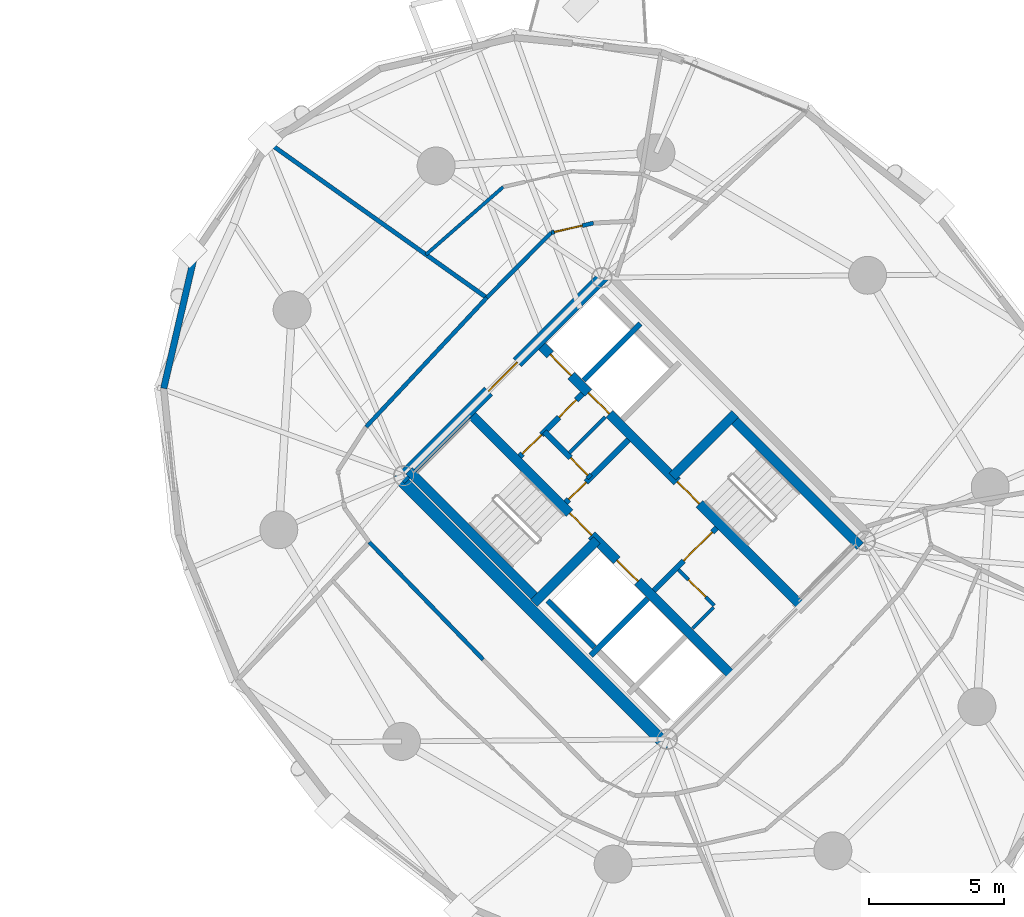
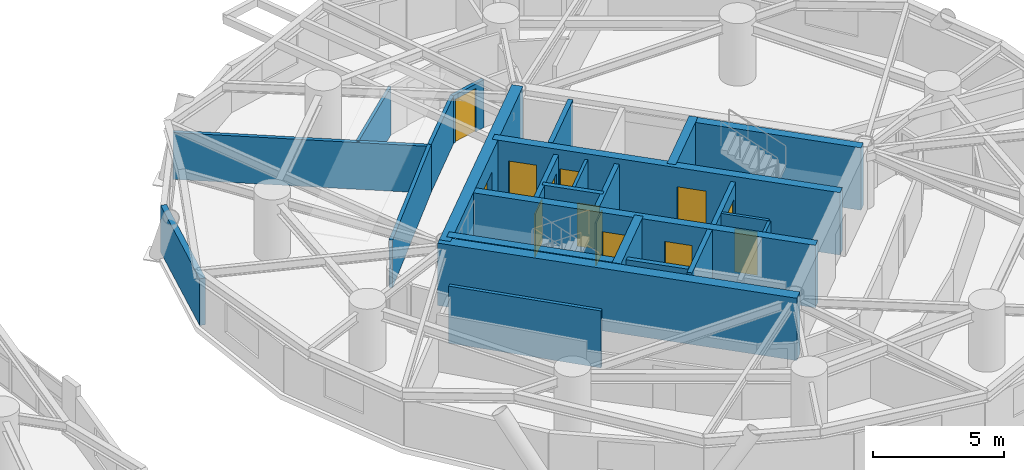
# One storey, part 13 of 18: 25 walls, 13 doors, 13 openings.
"""IFC4 building model written with IfcOpenShell, lengths in metres."""

from ifc_helpers import new_model, si_unit, direction, frame, frame_2d, origin, place, context, subcontext, project, spatial, rectangle, extrude, source, transform, mapped, material, layer, layer_set, type_object, element, fill, save


model = new_model("IFC4")

# Units and contexts
model_context = context("Model", 3, precision=1e-05, world=origin(), true_north=direction((0.0, 1.0)))
body_context = subcontext(model_context, "Body", "Model", "MODEL_VIEW")
ifc_project = project(units=[si_unit("LENGTHUNIT", "METRE"), si_unit("AREAUNIT", "SQUARE_METRE"), si_unit("VOLUMEUNIT", "CUBIC_METRE"), si_unit("PLANEANGLEUNIT", "RADIAN"), si_unit("MASSUNIT", "GRAM", prefix="KILO")], contexts=[model_context])

# Site, building, storey
site_placement = place(None, origin())
site = spatial("IfcSite", under=ifc_project, at=site_placement, CompositionType="ELEMENT")
building_placement = place(site_placement, origin())
building = spatial("IfcBuilding", under=site, at=building_placement, Name="Cununo Teusaquillo Station Towers", CompositionType="ELEMENT")
storey_placement = place(building_placement, frame((0.0, 0.0, 110.889892578125)))
storey = spatial("IfcBuildingStorey", under=building, at=storey_placement, Name="L35", CompositionType="ELEMENT", Elevation=110.889892578125)

# Walls
ifc_material_1 = material(Name="Concrete C50/60", Category="concrete")
ifc_layer_1 = layer(ifc_material_1, 0.199951171875)
ifc_layer_set_1 = layer_set([ifc_layer_1], Name="Concrete C50/60")
wall_type_1 = type_object("IfcWallType", Name="WL-CORE-200", PredefinedType="SHEAR", material=ifc_layer_set_1)
wall_1_placement = place(storey_placement, frame((55.8876953125, 19.0693359375, 0.0), z_axis=(0.0, 0.0, 1.0), x_axis=(0.707106781187, 0.707106781187, 0.0)))
element("IfcWall", 1, at=wall_1_placement, inside=storey, type_object=wall_type_1, Name="L35 Tower B Firefighting Lift Shaft South Shear Wall", PredefinedType="SHEAR", context=body_context, shape_type="SweptSolid", body=[
    extrude(rectangle(XDim=2.969970703125, YDim=0.199951171875, at=frame_2d((1.48486328125, 0.0))), origin(), (0.0, 0.0, 1.0), 2.91015625),
])
wall_2_placement = place(storey_placement, frame((56.01513671875, 19.366455078125, 0.0), z_axis=(0.0, 0.0, 1.0), x_axis=(-0.707106781187, 0.707106781187, 0.0)))
element("IfcWall", 2, at=wall_2_placement, inside=storey, type_object=wall_type_1, Name="L35 Tower B Firefighting Lift Shaft Rear Shear Wall", PredefinedType="SHEAR", context=body_context, shape_type="SweptSolid", body=[
    extrude(rectangle(XDim=2.43994140625, YDim=0.199951171875, at=frame_2d((1.219970703125, 0.0))), origin(), (0.0, 0.0, 1.0), 2.91015625),
])
wall_3_placement = place(storey_placement, frame((55.615478515625, 29.22705078125, 0.0), z_axis=(0.0, 0.0, 1.0), x_axis=(0.707147878904, 0.70706568108, 0.0)))
element("IfcWall", 3, at=wall_3_placement, inside=storey, type_object=wall_type_1, Name="L35 Tower B Low-Rise Lift Hoistway Divider Shear Wall", PredefinedType="SHEAR", context=body_context, shape_type="SweptSolid", body=[
    extrude(rectangle(XDim=2.97021484375, YDim=0.199951171875, at=frame_2d((1.485107421875, 0.0))), origin(), (0.0, 0.0, 1.0), 2.91015625),
])

# Wall, openings, doors
ifc_material_2 = material(Name="Concrete C50/60", Category="concrete")
ifc_layer_2 = layer(ifc_material_2, 0.35009765625)
ifc_layer_set_2 = layer_set([ifc_layer_2], Name="Concrete C50/60")
wall_type_2 = type_object("IfcWallType", Name="WL-CORE-350", PredefinedType="SHEAR", material=ifc_layer_set_2)
wall_4_placement = place(storey_placement, frame((61.077880859375, 18.355224609375, 0.0), z_axis=(0.0, 0.0, 1.0), x_axis=(-0.707106781187, 0.707106781187, 0.0)))
wall_4 = element("IfcWall", 4, at=wall_4_placement, inside=storey, type_object=wall_type_2, Name="L35 Tower B Core Shear Wall IW", PredefinedType="SHEAR", context=body_context, shape_type="SweptSolid", body=[
    extrude(rectangle(XDim=13.75, YDim=0.35009765625, at=frame_2d((6.875, 0.0))), origin(), (0.0, 0.0, 1.0), 2.91015625),
])
shared_shape_1 = source(origin(), body_context, "Body", "SweptSolid", [
    extrude(rectangle(XDim=1.10009765625, YDim=2.014892578125, at=frame_2d((0.550048828125, 1.00732421875))), frame((0.0, 0.18505859375, 0.0), z_axis=(0.0, -1.0, 0.0), x_axis=(1.0, 0.0, 0.0)), (0.0, 0.0, 1.0), 0.3701171875),
])
opening_1_placement = place(wall_4_placement, frame((4.875, 0.0, 0.0)))
opening_1 = element("IfcOpeningElement", 5, at=opening_1_placement, cuts=wall_4, Name="Opening LD-01", PredefinedType="OPENING", context=body_context, shape_type="MappedRepresentation", body=[
    mapped(shared_shape_1, transform((0.0, 0.0, 0.0), x_axis=(1.0, 0.0, 0.0), y_axis=(0.0, 1.0, 0.0), z_axis=(0.0, 0.0, 1.0), scale=1.0)),
])
shared_shape_2 = source(origin(), body_context, "Body", "SweptSolid", [
    extrude(rectangle(XDim=1.14990234375, YDim=2.02001953125, at=frame_2d((0.574951171875, 1.010009765625))), frame((0.0, 0.18505859375, 0.0), z_axis=(0.0, -1.0, 0.0), x_axis=(1.0, 0.0, 0.0)), (0.0, 0.0, 1.0), 0.3701171875),
])
opening_2_placement = place(wall_4_placement, frame((7.294921875, 0.0, 0.0)))
opening_2 = element("IfcOpeningElement", 6, at=opening_2_placement, cuts=wall_4, Name="Opening D-ST1", PredefinedType="OPENING", context=body_context, shape_type="MappedRepresentation", body=[
    mapped(shared_shape_2, transform((0.0, 0.0, 0.0), x_axis=(1.0, 0.0, 0.0), y_axis=(0.0, 1.0, 0.0), z_axis=(0.0, 0.0, 1.0), scale=1.0)),
])
ifc_material_3 = material(Name="Galvanised fire-rated hollow steel door assembly", Category="steel")
door_type_1 = type_object("IfcDoorType", Name="DR-LIFT-1100", OperationType="SLIDING_TO_LEFT", PredefinedType="DOOR", material=ifc_material_3)
shared_shape_3 = source(origin(), body_context, "Body", "SweptSolid", [
    extrude(rectangle(XDim=1.10009765625, YDim=2.014892578125, at=frame_2d((0.550048828125, 1.00732421875))), frame((0.0, 0.02490234375, 0.0), z_axis=(0.0, -1.0, 0.0), x_axis=(1.0, 0.0, 0.0)), (0.0, 0.0, 1.0), 0.050048828125),
])
door_1_placement = place(opening_1_placement, origin())
door_1 = element("IfcDoor", 7, at=door_1_placement, inside=storey, type_object=door_type_1, Name="L35 Lift FL-T2 Sliding Landing Door", OperationType="SLIDING_TO_LEFT", OverallHeight=2.014892578125, OverallWidth=1.10009765625, PredefinedType="DOOR", context=body_context, shape_type="MappedRepresentation", body=[
    mapped(shared_shape_3, transform((0.0, 0.0, 0.0), x_axis=(1.0, 0.0, 0.0), y_axis=(0.0, 1.0, 0.0), z_axis=(0.0, 0.0, 1.0), scale=1.0)),
])
fill(opening_1, door_1)
ifc_material_4 = material(Name="Galvanised fire-rated hollow steel door assembly", Category="steel")
door_type_2 = type_object("IfcDoorType", Name="DR-STAIR-1150", OperationType="NOTDEFINED", PredefinedType="DOOR", material=ifc_material_4)
shared_shape_4 = source(origin(), body_context, "Body", "SweptSolid", [
    extrude(rectangle(XDim=1.14990234375, YDim=2.02001953125, at=frame_2d((0.574951171875, 1.010009765625))), frame((0.0, 0.02490234375, 0.0), z_axis=(0.0, -1.0, 0.0), x_axis=(1.0, 0.0, 0.0)), (0.0, 0.0, 1.0), 0.050048828125),
])
door_2_placement = place(opening_2_placement, origin())
door_2 = element("IfcDoor", 8, at=door_2_placement, inside=storey, type_object=door_type_2, Name="L35 Tower B Exit Stair 1 Fire Door", OperationType="SINGLE_SWING_LEFT", OverallHeight=2.02001953125, OverallWidth=1.14990234375, PredefinedType="DOOR", context=body_context, shape_type="MappedRepresentation", body=[
    mapped(shared_shape_4, transform((0.0, 0.0, 0.0), x_axis=(1.0, 0.0, 0.0), y_axis=(0.0, 1.0, 0.0), z_axis=(0.0, 0.0, 1.0), scale=1.0)),
])
fill(opening_2, door_2)

wall_5_placement = place(storey_placement, frame((63.644775390625, 20.922119140625, 0.0), z_axis=(0.0, 0.0, 1.0), x_axis=(-0.707106781187, 0.707106781187, 0.0)))
wall_5 = element("IfcWall", 9, at=wall_5_placement, inside=storey, type_object=wall_type_2, Name="L35 Tower B Core Shear Wall IE", PredefinedType="SHEAR", context=body_context, shape_type="SweptSolid", body=[
    extrude(rectangle(XDim=13.75, YDim=0.35009765625, at=frame_2d((6.875, 0.0))), origin(), (0.0, 0.0, 1.0), 2.91015625),
])
opening_3_placement = place(wall_5_placement, frame((10.0, 0.0, 0.0)))
opening_3 = element("IfcOpeningElement", 10, at=opening_3_placement, cuts=wall_5, Name="Opening LD-01", PredefinedType="OPENING", context=body_context, shape_type="MappedRepresentation", body=[
    mapped(shared_shape_1, transform((0.0, 0.0, 0.0), x_axis=(1.0, 0.0, 0.0), y_axis=(0.0, 1.0, 0.0), z_axis=(0.0, 0.0, 1.0), scale=1.0)),
])
opening_4_placement = place(wall_5_placement, frame((12.0, 0.0, 0.0)))
opening_4 = element("IfcOpeningElement", 11, at=opening_4_placement, cuts=wall_5, Name="Opening LD-01", PredefinedType="OPENING", context=body_context, shape_type="MappedRepresentation", body=[
    mapped(shared_shape_1, transform((0.0, 0.0, 0.0), x_axis=(1.0, 0.0, 0.0), y_axis=(0.0, 1.0, 0.0), z_axis=(0.0, 0.0, 1.0), scale=1.0)),
])
opening_5_placement = place(wall_5_placement, frame((5.304931640625, 0.0, 0.0)))
opening_5 = element("IfcOpeningElement", 12, at=opening_5_placement, cuts=wall_5, Name="Opening D-ST1", PredefinedType="OPENING", context=body_context, shape_type="MappedRepresentation", body=[
    mapped(shared_shape_2, transform((0.0, 0.0, 0.0), x_axis=(1.0, 0.0, 0.0), y_axis=(0.0, 1.0, 0.0), z_axis=(0.0, 0.0, 1.0), scale=1.0)),
])
door_3_placement = place(opening_3_placement, origin())
door_3 = element("IfcDoor", 13, at=door_3_placement, inside=storey, type_object=door_type_1, Name="L35 Lift PL-T2-L1 Sliding Landing Door", OperationType="SLIDING_TO_LEFT", OverallHeight=2.014892578125, OverallWidth=1.10009765625, PredefinedType="DOOR", context=body_context, shape_type="MappedRepresentation", body=[
    mapped(shared_shape_3, transform((0.0, 0.0, 0.0), x_axis=(1.0, 0.0, 0.0), y_axis=(0.0, 1.0, 0.0), z_axis=(0.0, 0.0, 1.0), scale=1.0)),
])
fill(opening_3, door_3)
door_4_placement = place(opening_4_placement, origin())
door_4 = element("IfcDoor", 14, at=door_4_placement, inside=storey, type_object=door_type_1, Name="L35 Lift PL-T2-L2 Sliding Landing Door", OperationType="SLIDING_TO_RIGHT", OverallHeight=2.014892578125, OverallWidth=1.10009765625, PredefinedType="DOOR", context=body_context, shape_type="MappedRepresentation", body=[
    mapped(shared_shape_3, transform((0.0, 0.0, 0.0), x_axis=(1.0, 0.0, 0.0), y_axis=(0.0, 1.0, 0.0), z_axis=(0.0, 0.0, 1.0), scale=1.0)),
])
fill(opening_4, door_4)
door_5_placement = place(opening_5_placement, origin())
door_5 = element("IfcDoor", 15, at=door_5_placement, inside=storey, type_object=door_type_2, Name="L35 Tower B Exit Stair 2 Fire Door", OperationType="SINGLE_SWING_RIGHT", OverallHeight=2.02001953125, OverallWidth=1.14990234375, PredefinedType="DOOR", context=body_context, shape_type="MappedRepresentation", body=[
    mapped(shared_shape_4, transform((0.0, 0.0, 0.0), x_axis=(1.0, 0.0, 0.0), y_axis=(0.0, 1.0, 0.0), z_axis=(0.0, 0.0, 1.0), scale=1.0)),
])
fill(opening_5, door_5)

# Walls
wall_6_placement = place(storey_placement, frame((53.922119140625, 21.14111328125, 0.0), z_axis=(0.0, 0.0, 1.0), x_axis=(-0.707088616009, 0.707124945897, 0.0)))
element("IfcWall", 16, at=wall_6_placement, inside=storey, type_object=wall_type_2, Name="L35 Tower B Core Shear Wall ST1W", PredefinedType="SHEAR", context=body_context, shape_type="SweptSolid", body=[
    extrude(rectangle(XDim=6.72021484375, YDim=0.35009765625, at=frame_2d((3.360107421875, 0.0))), origin(), (0.0, 0.0, 1.0), 2.91015625),
])
wall_7_placement = place(storey_placement, frame((53.7841796875, 21.00341796875, 0.0), z_axis=(0.0, 0.0, 1.0), x_axis=(0.707106781187, 0.707106781187, 0.0)))
element("IfcWall", 17, at=wall_7_placement, inside=storey, type_object=wall_type_2, Name="L35 Tower B Core Shear Wall ST1S", PredefinedType="SHEAR", context=body_context, shape_type="SweptSolid", body=[
    extrude(rectangle(XDim=3.284912109375, YDim=0.35009765625, at=frame_2d((1.642578125, 0.0))), origin(), (0.0, 0.0, 1.0), 2.91015625),
])
wall_8_placement = place(storey_placement, frame((65.82958984375, 23.10693359375, 0.0), z_axis=(0.0, 0.0, 1.0), x_axis=(-0.707088616009, 0.707124945897, 0.0)))
element("IfcWall", 18, at=wall_8_placement, inside=storey, type_object=wall_type_2, Name="L35 Tower B Core Shear Wall ST2E", PredefinedType="SHEAR", context=body_context, shape_type="SweptSolid", body=[
    extrude(rectangle(XDim=6.72021484375, YDim=0.35009765625, at=frame_2d((3.360107421875, 0.0))), origin(), (0.0, 0.0, 1.0), 2.91015625),
])
wall_9_placement = place(storey_placement, frame((58.89306640625, 25.673828125, 0.0), z_axis=(0.0, 0.0, 1.0), x_axis=(0.707106781187, 0.707106781187, 0.0)))
element("IfcWall", 19, at=wall_9_placement, inside=storey, type_object=wall_type_2, Name="L35 Tower B Core Shear Wall ST2N", PredefinedType="SHEAR", context=body_context, shape_type="SweptSolid", body=[
    extrude(rectangle(XDim=3.284912109375, YDim=0.35009765625, at=frame_2d((1.642578125, 0.0))), origin(), (0.0, 0.0, 1.0), 2.91015625),
])
ifc_material_5 = material(Name="Concrete C60/75", Category="concrete")
ifc_layer_3 = layer(ifc_material_5, 0.449951171875)
ifc_layer_set_3 = layer_set([ifc_layer_3], Name="Concrete C60/75")
wall_type_3 = type_object("IfcWallType", Name="WL-CORE-450", PredefinedType="SHEAR", material=ifc_layer_set_3)
wall_10_placement = place(storey_placement, frame((58.7373046875, 15.696533203125, 0.0), z_axis=(0.0, 0.0, 1.0), x_axis=(-0.707106781187, 0.707106781187, 0.0)))
element("IfcWall", 20, at=wall_10_placement, inside=storey, type_object=wall_type_3, Name="L35 Tower B Core Shear Wall W", PredefinedType="SHEAR", context=body_context, shape_type="SweptSolid", body=[
    extrude(rectangle(XDim=14.19970703125, YDim=0.449951171875, at=frame_2d((7.099853515625, 0.0))), origin(), (0.0, 0.0, 1.0), 2.91015625),
])

# Wall, opening, door
wall_11_placement = place(storey_placement, frame((48.855712890625, 25.578369140625, 0.0), z_axis=(0.0, 0.0, 1.0), x_axis=(0.707106781187, 0.707106781187, 0.0)))
wall_11 = element("IfcWall", 21, at=wall_11_placement, inside=storey, type_object=wall_type_3, Name="L35 Tower B Core Shear Wall N", PredefinedType="SHEAR", context=body_context, shape_type="SweptSolid", body=[
    extrude(rectangle(XDim=10.69970703125, YDim=0.449951171875, at=frame_2d((5.349853515625, 0.0))), origin(), (0.0, 0.0, 1.0), 2.91015625),
])
shared_shape_5 = source(origin(), body_context, "Body", "SweptSolid", [
    extrude(rectangle(XDim=1.5, YDim=2.02001953125, at=frame_2d((0.75, 1.010009765625))), frame((0.0, 0.23486328125, 0.0), z_axis=(0.0, -1.0, 0.0), x_axis=(1.0, 0.0, 0.0)), (0.0, 0.0, 1.0), 0.469970703125),
])
opening_6_placement = place(wall_11_placement, frame((4.60009765625, 0.0, 0.0)))
opening_6 = element("IfcOpeningElement", 22, at=opening_6_placement, cuts=wall_11, Name="Opening D-LB1", PredefinedType="OPENING", context=body_context, shape_type="MappedRepresentation", body=[
    mapped(shared_shape_5, transform((0.0, 0.0, 0.0), x_axis=(1.0, 0.0, 0.0), y_axis=(0.0, 1.0, 0.0), z_axis=(0.0, 0.0, 1.0), scale=1.0)),
])
ifc_material_6 = material(Name="Galvanised fire-rated hollow steel door assembly", Category="steel")
door_type_3 = type_object("IfcDoorType", Name="DR-LOBBY-1500", OperationType="DOUBLE_DOOR_SINGLE_SWING", PredefinedType="DOOR", material=ifc_material_6)
shared_shape_6 = source(origin(), body_context, "Body", "SweptSolid", [
    extrude(rectangle(XDim=1.5, YDim=2.02001953125, at=frame_2d((0.75, 1.010009765625))), frame((0.0, 0.02490234375, 0.0), z_axis=(0.0, -1.0, 0.0), x_axis=(1.0, 0.0, 0.0)), (0.0, 0.0, 1.0), 0.050048828125),
])
door_6_placement = place(opening_6_placement, origin())
door_6 = element("IfcDoor", 23, at=door_6_placement, inside=storey, type_object=door_type_3, Name="L35 Tower B North Core Lift Lobby Door", OperationType="DOUBLE_DOOR_SINGLE_SWING", OverallHeight=2.02001953125, OverallWidth=1.5, PredefinedType="DOOR", context=body_context, shape_type="MappedRepresentation", body=[
    mapped(shared_shape_6, transform((0.0, 0.0, 0.0), x_axis=(1.0, 0.0, 0.0), y_axis=(0.0, 1.0, 0.0), z_axis=(0.0, 0.0, 1.0), scale=1.0)),
])
fill(opening_6, door_6)

# Wall
ifc_material_7 = material(Name="Precast concrete C40/50", Category="concrete")
ifc_layer_4 = layer(ifc_material_7, 0.239990234375)
ifc_layer_set_4 = layer_set([ifc_layer_4], Name="Precast concrete C40/50")
wall_type_4 = type_object("IfcWallType", Name="WL-EXT-240", PredefinedType="SOLIDWALL", material=ifc_layer_set_4)
wall_12_placement = place(storey_placement, frame((40.114990234375, 28.933349609375, 0.0), z_axis=(0.0, 0.0, 1.0), x_axis=(0.225834725257, 0.974165631126, 0.0)))
element("IfcWall", 24, at=wall_12_placement, inside=storey, type_object=wall_type_4, Name="L35 Tower B Exterior Facade Wall C06", PredefinedType="SOLIDWALL", context=body_context, shape_type="SweptSolid", body=[
    extrude(rectangle(XDim=5.118896484375, YDim=0.239990234375, at=frame_2d((2.5595703125, 0.0))), origin(), (0.0, 0.0, 1.0), 2.17919921875),
])

# Wall, opening, door
ifc_material_8 = material(Name="Fire-rated gypsum plasterboard partition assembly", Category="gypsum")
ifc_layer_5 = layer(ifc_material_8, 0.125)
ifc_layer_set_5 = layer_set([ifc_layer_5], Name="Fire-rated gypsum plasterboard partition assembly")
wall_type_5 = type_object("IfcWallType", Name="WL-PART-125", PredefinedType="PARTITIONING", material=ifc_layer_set_5)
wall_13_placement = place(storey_placement, frame((60.448486328125, 20.9150390625, 0.0), z_axis=(0.0, 0.0, 1.0), x_axis=(-0.707106781187, 0.707106781187, 0.0)))
wall_13 = element("IfcWall", 25, at=wall_13_placement, inside=storey, type_object=wall_type_5, Name="L35 Tower B North-West Lobby Store East Wall", PredefinedType="PARTITIONING", context=body_context, shape_type="SweptSolid", body=[
    extrude(rectangle(XDim=1.869873046875, YDim=0.125, at=frame_2d((0.93505859375, 0.0))), origin(), (0.0, 0.0, 1.0), 2.655029296875),
])
shared_shape_7 = source(origin(), body_context, "Body", "SweptSolid", [
    extrude(rectangle(XDim=0.89990234375, YDim=2.0048828125, at=frame_2d((0.449951171875, 1.00244140625))), frame((0.0, 0.072509765625, 0.0), z_axis=(0.0, -1.0, 0.0), x_axis=(1.0, 0.0, 0.0)), (0.0, 0.0, 1.0), 0.14501953125),
])
opening_7_placement = place(wall_13_placement, frame((0.449951171875, 0.0, 0.0)))
opening_7 = element("IfcOpeningElement", 26, at=opening_7_placement, cuts=wall_13, Name="Opening D-SR1", PredefinedType="OPENING", context=body_context, shape_type="MappedRepresentation", body=[
    mapped(shared_shape_7, transform((0.0, 0.0, 0.0), x_axis=(1.0, 0.0, 0.0), y_axis=(0.0, 1.0, 0.0), z_axis=(0.0, 0.0, 1.0), scale=1.0)),
])
ifc_material_9 = material(Name="Galvanised fire-rated hollow steel door assembly", Category="steel")
door_type_4 = type_object("IfcDoorType", Name="DR-STORE-900", OperationType="NOTDEFINED", PredefinedType="DOOR", material=ifc_material_9)
shared_shape_8 = source(origin(), body_context, "Body", "SweptSolid", [
    extrude(rectangle(XDim=0.89990234375, YDim=2.0048828125, at=frame_2d((0.449951171875, 1.00244140625))), frame((0.0, 0.02490234375, 0.0), z_axis=(0.0, -1.0, 0.0), x_axis=(1.0, 0.0, 0.0)), (0.0, 0.0, 1.0), 0.050048828125),
])
door_7_placement = place(opening_7_placement, origin())
door_7 = element("IfcDoor", 27, at=door_7_placement, inside=storey, type_object=door_type_4, Name="L35 Tower B South Lobby Data Store Door", OperationType="SINGLE_SWING_LEFT", OverallHeight=2.0048828125, OverallWidth=0.89990234375, PredefinedType="DOOR", context=body_context, shape_type="MappedRepresentation", body=[
    mapped(shared_shape_8, transform((0.0, 0.0, 0.0), x_axis=(1.0, 0.0, 0.0), y_axis=(0.0, 1.0, 0.0), z_axis=(0.0, 0.0, 1.0), scale=1.0)),
])
fill(opening_7, door_7)

# Walls
wall_14_placement = place(storey_placement, frame((59.642578125, 20.06640625, 0.0), z_axis=(0.0, 0.0, 1.0), x_axis=(0.707106781187, 0.707106781187, 0.0)))
element("IfcWall", 28, at=wall_14_placement, inside=storey, type_object=wall_type_5, Name="L35 Tower B North-West Lobby Store South Wall", PredefinedType="PARTITIONING", context=body_context, shape_type="SweptSolid", body=[
    extrude(rectangle(XDim=1.10009765625, YDim=0.125, at=frame_2d((0.550048828125, 0.0))), origin(), (0.0, 0.0, 1.0), 2.655029296875),
])
wall_15_placement = place(storey_placement, frame((55.0888671875, 26.54345703125, 0.0), z_axis=(0.0, 0.0, 1.0), x_axis=(0.707106781187, 0.707106781187, 0.0)))
element("IfcWall", 29, at=wall_15_placement, inside=storey, type_object=wall_type_5, Name="L35 Tower B Core Horizontal Split Wall", PredefinedType="PARTITIONING", context=body_context, shape_type="SweptSolid", body=[
    extrude(rectangle(XDim=1.8798828125, YDim=0.125, at=frame_2d((0.93994140625, 0.0))), origin(), (0.0, 0.0, 1.0), 2.655029296875),
])
wall_16_placement = place(storey_placement, frame((52.652099609375, 36.37060546875, 0.0), z_axis=(0.0, 0.0, 1.0), x_axis=(-0.752401146533, -0.658705180408, 0.0)))
element("IfcWall", 30, at=wall_16_placement, inside=storey, type_object=wall_type_5, Name="L35 Tower B Consular Reception Salon Concentric Partition Wall C04", PredefinedType="PARTITIONING", context=body_context, shape_type="SweptSolid", body=[
    extrude(rectangle(XDim=3.791259765625, YDim=0.125, at=frame_2d((1.8955078125, 0.0))), origin(), (0.0, 0.0, 1.0), 2.22509765625),
])

# Wall, opening, door
ifc_material_10 = material(Name="Fire-rated gypsum plasterboard partition assembly", Category="gypsum")
ifc_layer_6 = layer(ifc_material_10, 0.14990234375)
ifc_layer_set_6 = layer_set([ifc_layer_6], Name="Fire-rated gypsum plasterboard partition assembly")
wall_type_6 = type_object("IfcWallType", Name="WL-PART-150", PredefinedType="PARTITIONING", material=ifc_layer_set_6)
wall_17_placement = place(storey_placement, frame((55.98388671875, 35.035400390625, 0.0), z_axis=(0.0, 0.0, 1.0), x_axis=(-0.975290305708, -0.22092718165, 0.0)))
wall_17 = element("IfcWall", 31, at=wall_17_placement, inside=storey, type_object=wall_type_6, Name="L35 Tower B Corridor Ring Wall C03", PredefinedType="PARTITIONING", context=body_context, shape_type="SweptSolid", body=[
    extrude(rectangle(XDim=1.596923828125, YDim=0.14990234375, at=frame_2d((0.79833984375, 0.0))), origin(), (0.0, 0.0, 1.0), 2.22509765625),
])
shared_shape_9 = source(origin(), body_context, "Body", "SweptSolid", [
    extrude(rectangle(XDim=1.050048828125, YDim=2.014892578125, at=frame_2d((0.52490234375, 1.00732421875))), frame((0.0, 0.0849609375, 0.0), z_axis=(0.0, -1.0, 0.0), x_axis=(1.0, 0.0, 0.0)), (0.0, 0.0, 1.0), 0.169921875),
])
opening_8_placement = place(wall_17_placement, frame((0.4267578125, 0.0, 0.0)))
opening_8 = element("IfcOpeningElement", 32, at=opening_8_placement, cuts=wall_17, Name="Opening D-SU1", PredefinedType="OPENING", context=body_context, shape_type="MappedRepresentation", body=[
    mapped(shared_shape_9, transform((0.0, 0.0, 0.0), x_axis=(1.0, 0.0, 0.0), y_axis=(0.0, 1.0, 0.0), z_axis=(0.0, 0.0, 1.0), scale=1.0)),
])
ifc_material_11 = material(Name="Acoustic solid-core hardwood leaf assembly", Category="wood")
door_type_5 = type_object("IfcDoorType", Name="DR-SUITE-1050", OperationType="NOTDEFINED", PredefinedType="DOOR", material=ifc_material_11)
shared_shape_10 = source(origin(), body_context, "Body", "SweptSolid", [
    extrude(rectangle(XDim=1.050048828125, YDim=2.014892578125, at=frame_2d((0.52490234375, 1.00732421875))), frame((0.0, 0.02490234375, 0.0), z_axis=(0.0, -1.0, 0.0), x_axis=(1.0, 0.0, 0.0)), (0.0, 0.0, 1.0), 0.050048828125),
])
door_8_placement = place(opening_8_placement, origin())
door_8 = element("IfcDoor", 33, at=door_8_placement, inside=storey, type_object=door_type_5, Name="L35 Tower B Consular Reception Salon Entrance Door", OperationType="SINGLE_SWING_RIGHT", OverallHeight=2.014892578125, OverallWidth=1.050048828125, PredefinedType="DOOR", context=body_context, shape_type="MappedRepresentation", body=[
    mapped(shared_shape_10, transform((0.0, 0.0, 0.0), x_axis=(1.0, 0.0, 0.0), y_axis=(0.0, 1.0, 0.0), z_axis=(0.0, 0.0, 1.0), scale=1.0)),
])
fill(opening_8, door_8)

# Walls
wall_18_placement = place(storey_placement, frame((54.426513671875, 34.6826171875, 0.0), z_axis=(0.0, 0.0, 1.0), x_axis=(-0.704178989986, -0.710022499687, 0.0)))
element("IfcWall", 34, at=wall_18_placement, inside=storey, type_object=wall_type_6, Name="L35 Tower B Corridor Ring Wall C04", PredefinedType="PARTITIONING", context=body_context, shape_type="SweptSolid", body=[
    extrude(rectangle(XDim=3.38427734375, YDim=0.14990234375, at=frame_2d((1.692138671875, 0.0))), origin(), (0.0, 0.0, 1.0), 2.22509765625),
])
wall_19_placement = place(storey_placement, frame((52.04345703125, 32.27978515625, 0.0), z_axis=(0.0, 0.0, 1.0), x_axis=(-0.682606081633, -0.730786519661, 0.0)))
element("IfcWall", 35, at=wall_19_placement, inside=storey, type_object=wall_type_6, Name="L35 Tower B Corridor Ring Wall C05", PredefinedType="PARTITIONING", context=body_context, shape_type="SweptSolid", body=[
    extrude(rectangle(XDim=6.526611328125, YDim=0.14990234375, at=frame_2d((3.26318359375, 0.0))), origin(), (0.0, 0.0, 1.0), 2.22509765625),
])
wall_20_placement = place(storey_placement, frame((47.70556640625, 23.253173828125, 0.0), z_axis=(0.0, 0.0, 1.0), x_axis=(0.696179266346, -0.717867974707, 0.0)))
element("IfcWall", 36, at=wall_20_placement, inside=storey, type_object=wall_type_6, Name="L35 Tower B Corridor Ring Wall C09", PredefinedType="PARTITIONING", context=body_context, shape_type="SweptSolid", body=[
    extrude(rectangle(XDim=6.044677734375, YDim=0.14990234375, at=frame_2d((3.0224609375, 0.0))), origin(), (0.0, 0.0, 1.0), 2.655029296875),
])
ifc_material_12 = material(Name="Fire-rated gypsum plasterboard partition assembly", Category="gypsum")
ifc_layer_7 = layer(ifc_material_12, 0.159912109375)
ifc_layer_set_7 = layer_set([ifc_layer_7], Name="Fire-rated gypsum plasterboard partition assembly")
wall_type_7 = type_object("IfcWallType", Name="WL-PART-160", PredefinedType="PARTITIONING", material=ifc_layer_set_7)
wall_21_placement = place(storey_placement, frame((52.04345703125, 32.27978515625, 0.0), z_axis=(0.0, 0.0, 1.0), x_axis=(-0.81534487613, 0.578975589268, 0.0)))
element("IfcWall", 37, at=wall_21_placement, inside=storey, type_object=wall_type_7, Name="L35 Tower B Radial Suite Partition R03", PredefinedType="PARTITIONING", context=body_context, shape_type="SweptSolid", body=[
    extrude(rectangle(XDim=9.828857421875, YDim=0.159912109375, at=frame_2d((4.91455078125, 0.0))), origin(), (0.0, 0.0, 1.0), 2.17919921875),
])

# Wall, opening, door
ifc_material_13 = material(Name="Fire-rated gypsum plasterboard partition assembly", Category="gypsum")
ifc_layer_8 = layer(ifc_material_13, 0.199951171875)
ifc_layer_set_8 = layer_set([ifc_layer_8], Name="Fire-rated gypsum plasterboard partition assembly")
wall_type_8 = type_object("IfcWallType", Name="WL-PART-200", PredefinedType="PARTITIONING", material=ifc_layer_set_8)
wall_22_placement = place(storey_placement, frame((58.214111328125, 21.466552734375, 0.0), z_axis=(0.0, 0.0, 1.0), x_axis=(0.707106781187, 0.707106781187, 0.0)))
wall_22 = element("IfcWall", 38, at=wall_22_placement, inside=storey, type_object=wall_type_8, Name="L35 Tower B Firefighting Lift Lobby South Fire Wall", PredefinedType="PARTITIONING", context=body_context, shape_type="SweptSolid", body=[
    extrude(rectangle(XDim=3.280029296875, YDim=0.199951171875, at=frame_2d((1.64013671875, 0.0))), origin(), (0.0, 0.0, 1.0), 2.655029296875),
])
shared_shape_11 = source(origin(), body_context, "Body", "SweptSolid", [
    extrude(rectangle(XDim=1.5, YDim=2.02001953125, at=frame_2d((0.75, 1.010009765625))), frame((0.0, 0.10986328125, 0.0), z_axis=(0.0, -1.0, 0.0), x_axis=(1.0, 0.0, 0.0)), (0.0, 0.0, 1.0), 0.219970703125),
])
opening_9_placement = place(wall_22_placement, frame((1.550048828125, 0.0, 0.0)))
opening_9 = element("IfcOpeningElement", 39, at=opening_9_placement, cuts=wall_22, Name="Opening D-LB1", PredefinedType="OPENING", context=body_context, shape_type="MappedRepresentation", body=[
    mapped(shared_shape_11, transform((0.0, 0.0, 0.0), x_axis=(1.0, 0.0, 0.0), y_axis=(0.0, 1.0, 0.0), z_axis=(0.0, 0.0, 1.0), scale=1.0)),
])
door_9_placement = place(opening_9_placement, origin())
door_9 = element("IfcDoor", 40, at=door_9_placement, inside=storey, type_object=door_type_3, Name="L35 Tower B Firefighting Lift Lobby South Fire Door", OperationType="DOUBLE_DOOR_SINGLE_SWING", OverallHeight=2.02001953125, OverallWidth=1.5, PredefinedType="DOOR", context=body_context, shape_type="MappedRepresentation", body=[
    mapped(shared_shape_6, transform((0.0, 0.0, 0.0), x_axis=(1.0, 0.0, 0.0), y_axis=(0.0, 1.0, 0.0), z_axis=(0.0, 0.0, 1.0), scale=1.0)),
])
fill(opening_9, door_9)

wall_23_placement = place(storey_placement, frame((54.96142578125, 24.71923828125, 0.0), z_axis=(0.0, 0.0, 1.0), x_axis=(0.707106781187, 0.707106781187, 0.0)))
wall_23 = element("IfcWall", 41, at=wall_23_placement, inside=storey, type_object=wall_type_8, Name="L35 Tower B Firefighting Lift Lobby North Fire Wall", PredefinedType="PARTITIONING", context=body_context, shape_type="SweptSolid", body=[
    extrude(rectangle(XDim=3.280029296875, YDim=0.199951171875, at=frame_2d((1.64013671875, 0.0))), origin(), (0.0, 0.0, 1.0), 2.655029296875),
])
shared_shape_12 = source(origin(), body_context, "Body", "SweptSolid", [
    extrude(rectangle(XDim=0.89990234375, YDim=2.0048828125, at=frame_2d((0.449951171875, 1.00244140625))), frame((0.0, 0.10986328125, 0.0), z_axis=(0.0, -1.0, 0.0), x_axis=(1.0, 0.0, 0.0)), (0.0, 0.0, 1.0), 0.219970703125),
])
opening_10_placement = place(wall_23_placement, frame((0.159912109375, 0.0, 0.0)))
opening_10 = element("IfcOpeningElement", 42, at=opening_10_placement, cuts=wall_23, Name="Opening D-SR1", PredefinedType="OPENING", context=body_context, shape_type="MappedRepresentation", body=[
    mapped(shared_shape_12, transform((0.0, 0.0, 0.0), x_axis=(1.0, 0.0, 0.0), y_axis=(0.0, 1.0, 0.0), z_axis=(0.0, 0.0, 1.0), scale=1.0)),
])
door_10_placement = place(opening_10_placement, origin())
door_10 = element("IfcDoor", 43, at=door_10_placement, inside=storey, type_object=door_type_4, Name="L35 Tower B Stair 1 Protected Vestibule South Door", OperationType="SINGLE_SWING_LEFT", OverallHeight=2.0048828125, OverallWidth=0.89990234375, PredefinedType="DOOR", context=body_context, shape_type="MappedRepresentation", body=[
    mapped(shared_shape_8, transform((0.0, 0.0, 0.0), x_axis=(1.0, 0.0, 0.0), y_axis=(0.0, 1.0, 0.0), z_axis=(0.0, 0.0, 1.0), scale=1.0)),
])
fill(opening_10, door_10)

wall_24_placement = place(storey_placement, frame((55.873779296875, 25.63134765625, 0.0), z_axis=(0.0, 0.0, 1.0), x_axis=(-0.707157639372, 0.707055919343, 0.0)))
wall_24 = element("IfcWall", 44, at=wall_24_placement, inside=storey, type_object=wall_type_8, Name="L35 Tower B Stair 1 Vestibule Partition Wall", PredefinedType="PARTITIONING", context=body_context, shape_type="SweptSolid", body=[
    extrude(rectangle(XDim=2.400146484375, YDim=0.199951171875, at=frame_2d((1.2001953125, 0.0))), origin(), (0.0, 0.0, 1.0), 2.655029296875),
])
opening_11_placement = place(wall_24_placement, frame((0.139892578125, 0.0, 0.0)))
opening_11 = element("IfcOpeningElement", 45, at=opening_11_placement, cuts=wall_24, Name="Opening D-SR1", PredefinedType="OPENING", context=body_context, shape_type="MappedRepresentation", body=[
    mapped(shared_shape_12, transform((0.0, 0.0, 0.0), x_axis=(1.0, 0.0, 0.0), y_axis=(0.0, 1.0, 0.0), z_axis=(0.0, 0.0, 1.0), scale=1.0)),
])
door_11_placement = place(opening_11_placement, origin())
door_11 = element("IfcDoor", 46, at=door_11_placement, inside=storey, type_object=door_type_4, Name="L35 Tower B Core Linen Store Door", OperationType="SINGLE_SWING_RIGHT", OverallHeight=2.0048828125, OverallWidth=0.89990234375, PredefinedType="DOOR", context=body_context, shape_type="MappedRepresentation", body=[
    mapped(shared_shape_8, transform((0.0, 0.0, 0.0), x_axis=(1.0, 0.0, 0.0), y_axis=(0.0, 1.0, 0.0), z_axis=(0.0, 0.0, 1.0), scale=1.0)),
])
fill(opening_11, door_11)

# Wall, openings, doors
wall_25_placement = place(storey_placement, frame((53.264404296875, 26.416259765625, 0.0), z_axis=(0.0, 0.0, 1.0), x_axis=(0.707106781187, 0.707106781187, 0.0)))
wall_25 = element("IfcWall", 47, at=wall_25_placement, inside=storey, type_object=wall_type_8, Name="L35 Tower B North Lift Lobby South Fire Wall", PredefinedType="PARTITIONING", context=body_context, shape_type="SweptSolid", body=[
    extrude(rectangle(XDim=3.280029296875, YDim=0.199951171875, at=frame_2d((1.64013671875, 0.0))), origin(), (0.0, 0.0, 1.0), 2.655029296875),
])
shared_shape_13 = source(origin(), body_context, "Body", "SweptSolid", [
    extrude(rectangle(XDim=1.0, YDim=2.014892578125, at=frame_2d((0.5, 1.00732421875))), frame((0.0, 0.10986328125, 0.0), z_axis=(0.0, -1.0, 0.0), x_axis=(1.0, 0.0, 0.0)), (0.0, 0.0, 1.0), 0.219970703125),
])
opening_12_placement = place(wall_25_placement, frame((0.139892578125, 0.0, 0.0)))
opening_12 = element("IfcOpeningElement", 48, at=opening_12_placement, cuts=wall_25, Name="Opening D-AC1", PredefinedType="OPENING", context=body_context, shape_type="MappedRepresentation", body=[
    mapped(shared_shape_13, transform((0.0, 0.0, 0.0), x_axis=(1.0, 0.0, 0.0), y_axis=(0.0, 1.0, 0.0), z_axis=(0.0, 0.0, 1.0), scale=1.0)),
])
opening_13_placement = place(wall_25_placement, frame((2.050048828125, 0.0, 0.0)))
opening_13 = element("IfcOpeningElement", 49, at=opening_13_placement, cuts=wall_25, Name="Opening D-SR1", PredefinedType="OPENING", context=body_context, shape_type="MappedRepresentation", body=[
    mapped(shared_shape_12, transform((0.0, 0.0, 0.0), x_axis=(1.0, 0.0, 0.0), y_axis=(0.0, 1.0, 0.0), z_axis=(0.0, 0.0, 1.0), scale=1.0)),
])
door_12_placement = place(opening_13_placement, origin())
door_12 = element("IfcDoor", 50, at=door_12_placement, inside=storey, type_object=door_type_4, Name="L35 Tower B Core Comms Room Door", OperationType="SINGLE_SWING_LEFT", OverallHeight=2.0048828125, OverallWidth=0.89990234375, PredefinedType="DOOR", context=body_context, shape_type="MappedRepresentation", body=[
    mapped(shared_shape_8, transform((0.0, 0.0, 0.0), x_axis=(1.0, 0.0, 0.0), y_axis=(0.0, 1.0, 0.0), z_axis=(0.0, 0.0, 1.0), scale=1.0)),
])
fill(opening_13, door_12)
ifc_material_14 = material(Name="Acoustic solid-core hardwood leaf assembly", Category="wood")
door_type_6 = type_object("IfcDoorType", Name="DR-ACC-1000", OperationType="NOTDEFINED", PredefinedType="DOOR", material=ifc_material_14)
shared_shape_14 = source(origin(), body_context, "Body", "SweptSolid", [
    extrude(rectangle(XDim=1.0, YDim=2.014892578125, at=frame_2d((0.5, 1.00732421875))), frame((0.0, 0.02490234375, 0.0), z_axis=(0.0, -1.0, 0.0), x_axis=(1.0, 0.0, 0.0)), (0.0, 0.0, 1.0), 0.050048828125),
])
door_13_placement = place(opening_12_placement, origin())
door_13 = element("IfcDoor", 51, at=door_13_placement, inside=storey, type_object=door_type_6, Name="L35 Tower B North Lift Lobby to Stair 1 Vestibule Door", OperationType="SINGLE_SWING_RIGHT", OverallHeight=2.014892578125, OverallWidth=1.0, PredefinedType="DOOR", context=body_context, shape_type="MappedRepresentation", body=[
    mapped(shared_shape_14, transform((0.0, 0.0, 0.0), x_axis=(1.0, 0.0, 0.0), y_axis=(0.0, 1.0, 0.0), z_axis=(0.0, 0.0, 1.0), scale=1.0)),
])
fill(opening_12, door_13)

save(model, "model.ifc")
